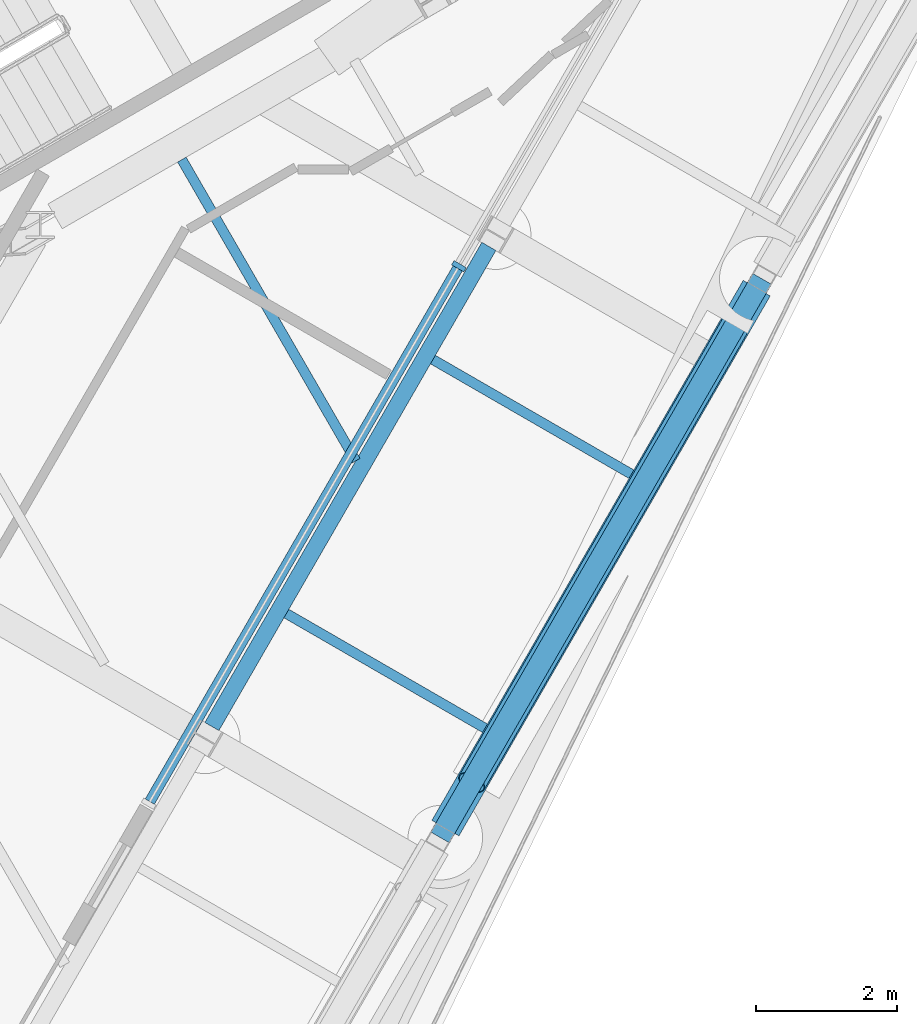
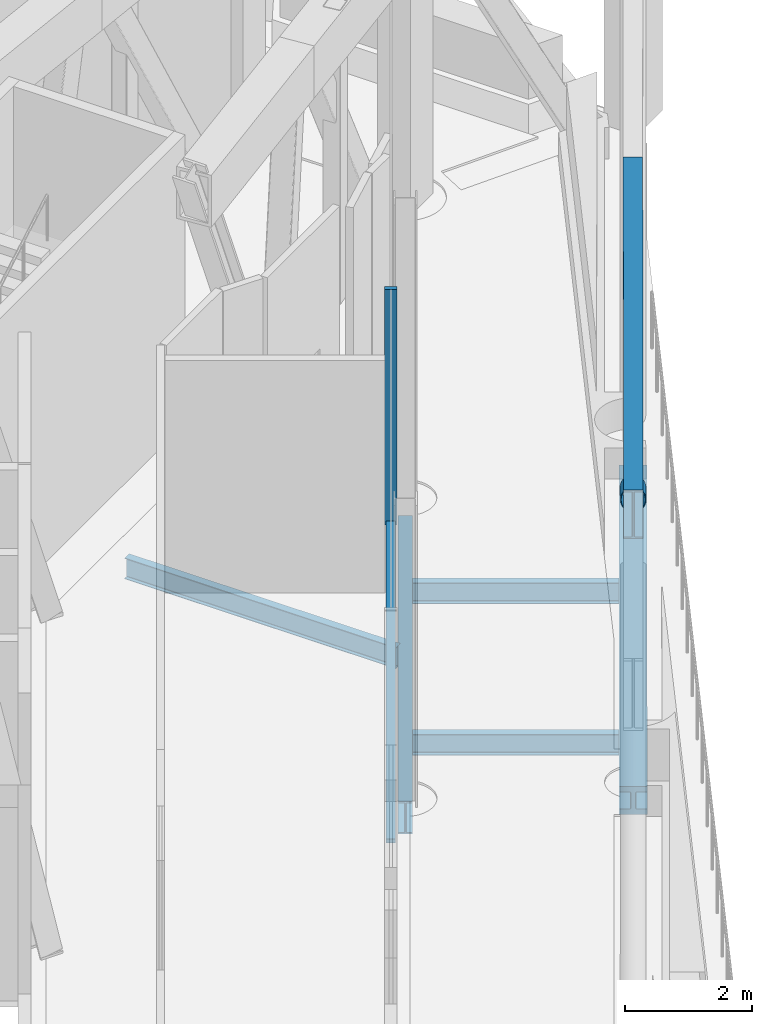
# One storey, part 9 of 25: 6 beams, 3 members, 1 element without a shape of its own.
"""IFC4 building model written with IfcOpenShell, lengths in metres."""

from ifc_helpers import new_model, si_unit, direction, frame, origin, origin_2d, place, context, subcontext, project, spatial, rectangle, hollow_circle, i_section, extrude, material, material_profile, profile_set, type_object, element, aggregate, save


model = new_model("IFC4")

# Units and contexts
model_context = context("Model", 3, precision=1e-05, world=origin(), true_north=direction((0.0, 1.0)))
body_context = subcontext(model_context, "Body", "Model", "MODEL_VIEW")
ifc_project = project(units=[si_unit("LENGTHUNIT", "METRE"), si_unit("AREAUNIT", "SQUARE_METRE"), si_unit("VOLUMEUNIT", "CUBIC_METRE"), si_unit("PLANEANGLEUNIT", "RADIAN"), si_unit("MASSUNIT", "GRAM", prefix="KILO")], contexts=[model_context])

# Site, building, storey
site_placement = place(None, origin())
site = spatial("IfcSite", under=ifc_project, at=site_placement, CompositionType="ELEMENT")
building_placement = place(site_placement, origin())
building = spatial("IfcBuilding", under=site, at=building_placement, Name="Verrane Prism Tower", CompositionType="ELEMENT")
storey_placement = place(building_placement, frame((0.0, 0.0, 258.199951171875)))
storey = spatial("IfcBuildingStorey", under=building, at=storey_placement, Name="L65", CompositionType="ELEMENT", Elevation=258.199951171875)

# Beams
ifc_material_1 = material(Name="Steel A992", Category="steel")
ifc_material_profile_1 = material_profile(ifc_material_1, i_section(OverallWidth=0.44189453125, OverallDepth=0.53076171875, WebThickness=0.06591796875, FlangeThickness=0.105712890625, FilletRadius=0.01513671875, at=origin_2d()), Name="W14x605")
ifc_profile_set_1 = profile_set([ifc_material_profile_1], Name="Steel A992")
beam_type_1 = type_object("IfcBeamType", Name="Belt truss chord W14x605", PredefinedType="BEAM", material=ifc_profile_set_1)
beam_1_placement = place(storey_placement, frame((17.2861328125, -4.528076171875, -0.424560546875), z_axis=(0.499430258134, 0.866354094618, 0.0), x_axis=(-0.866354094618, 0.499430258134, 0.0)))
element("IfcBeam", 1, at=beam_1_placement, inside=storey, type_object=beam_type_1, Name="Belt truss chord L65", PredefinedType="BEAM", context=body_context, shape_type="SweptSolid", body=[
    extrude(i_section(OverallWidth=0.44189453125, OverallDepth=0.53076171875, WebThickness=0.06591796875, FlangeThickness=0.105712890625, FilletRadius=0.01513671875, at=origin_2d()), origin(), (0.0, 0.0, 1.0), 8.825439453125),
])
ifc_material_2 = material(Name="Steel A992", Category="steel")
ifc_material_profile_2 = material_profile(ifc_material_2, i_section(OverallWidth=0.307373046875, OverallDepth=0.927001953125, WebThickness=0.01953125, FlangeThickness=0.031982421875, FilletRadius=0.01904296875, at=origin_2d()), Name="W36x194")
ifc_profile_set_2 = profile_set([ifc_material_profile_2], Name="Steel A992")
beam_type_2 = type_object("IfcBeamType", Name="Belt truss chord W36x194", PredefinedType="BEAM", material=ifc_profile_set_2)
beam_2_placement = place(storey_placement, frame((17.2099609375, -4.659912109375, 5.176513671875), z_axis=(0.499446957289, 0.866344467781, 0.0), x_axis=(-0.866344467781, 0.499446957289, 0.0)))
element("IfcBeam", 2, at=beam_2_placement, inside=storey, type_object=beam_type_2, Name="Belt truss chord L65", PredefinedType="BEAM", context=body_context, shape_type="SweptSolid", body=[
    extrude(i_section(OverallWidth=0.307373046875, OverallDepth=0.927001953125, WebThickness=0.01953125, FlangeThickness=0.031982421875, FilletRadius=0.01904296875, at=origin_2d()), origin(), (0.0, 0.0, 1.0), 9.130126953125),
])

# Member
ifc_material_3 = material(Name="Steel A500 Grade C", Category="steel")
ifc_material_profile_3 = material_profile(ifc_material_3, hollow_circle(Radius=0.203125, WallThickness=0.0126953125, at=origin_2d()), Name="HSS16.000x0.500")
ifc_profile_set_3 = profile_set([ifc_material_profile_3], Name="Steel A500 Grade C")
member_type_1 = type_object("IfcMemberType", Name="Belt truss diagonal HSS16.000x0.500", PredefinedType="BRACE", material=ifc_profile_set_3)
member_1_placement = place(storey_placement, frame((21.384033203125, 2.58056640625, -0.158935546875), z_axis=(-0.415199249485, -0.720266360715, 0.555721110674), x_axis=(0.866362050959, -0.499416456134, 0.0)))
element("IfcMember", 3, at=member_1_placement, inside=storey, type_object=member_type_1, Name="Belt truss diagonal L65", PredefinedType="BRACE", context=body_context, shape_type="SweptSolid", body=[
    extrude(hollow_circle(Radius=0.203125, WallThickness=0.0126953125, at=origin_2d()), origin(), (0.0, 0.0, 1.0), 8.9736328125),
])

# Beams
ifc_material_4 = material(Name="Steel A992", Category="steel")
ifc_material_profile_4 = material_profile(ifc_material_4, i_section(OverallWidth=0.140380859375, OverallDepth=0.40380859375, WebThickness=0.007080078125, FlangeThickness=0.01123046875, FilletRadius=0.01025390625, at=origin_2d()), Name="W16x31")
ifc_profile_set_4 = profile_set([ifc_material_profile_4], Name="Steel A992")
beam_type_3 = type_object("IfcBeamType", Name="Floor beam W16x31", PredefinedType="BEAM", material=ifc_profile_set_4)
beam_3_placement = place(storey_placement, frame((19.920166015625, 0.483642578125, -0.36181640625), z_axis=(-0.866026499801, 0.499998101639, 0.0), x_axis=(-0.499998101639, -0.866026499801, 0.0)))
element("IfcBeam", 4, at=beam_3_placement, inside=storey, type_object=beam_type_3, Name="Floor beam L65", PredefinedType="BEAM", context=body_context, shape_type="SweptSolid", body=[
    extrude(i_section(OverallWidth=0.140380859375, OverallDepth=0.40380859375, WebThickness=0.007080078125, FlangeThickness=0.01123046875, FilletRadius=0.01025390625, at=origin_2d()), origin(), (0.0, 0.0, 1.0), 3.24560546875),
])
beam_4_placement = place(storey_placement, frame((17.8466796875, -3.11328125, -0.36181640625), z_axis=(-0.866027848477, 0.499995765644, 0.0), x_axis=(-0.499995765644, -0.866027848477, 0.0)))
element("IfcBeam", 5, at=beam_4_placement, inside=storey, type_object=beam_type_3, Name="Floor beam L65", PredefinedType="BEAM", context=body_context, shape_type="SweptSolid", body=[
    extrude(i_section(OverallWidth=0.140380859375, OverallDepth=0.40380859375, WebThickness=0.007080078125, FlangeThickness=0.01123046875, FilletRadius=0.01025390625, at=origin_2d()), origin(), (0.0, 0.0, 1.0), 3.24755859375),
])
beam_5_placement = place(storey_placement, frame((16.016845703125, 0.673095703125, -0.36181640625), z_axis=(-0.500025682568, 0.866010575439, 0.0), x_axis=(-0.866010575439, -0.500025682568, 0.0)))
element("IfcBeam", 6, at=beam_5_placement, inside=storey, type_object=beam_type_3, Name="Floor beam L65", PredefinedType="BEAM", context=body_context, shape_type="SweptSolid", body=[
    extrude(i_section(OverallWidth=0.140380859375, OverallDepth=0.40380859375, WebThickness=0.007080078125, FlangeThickness=0.01123046875, FilletRadius=0.01025390625, at=origin_2d()), origin(), (0.0, 0.0, 1.0), 4.925048828125),
])

# Curtain wall, member
ifc_material_5 = material(Name="Aluminium framed insulated glazing", Category="aluminium")
curtain_wall_type = type_object("IfcCurtainWallType", Name="Curtain wall CW-A 8400 module", PredefinedType="NOTDEFINED", material=ifc_material_5)
curtain_wall_placement = place(storey_placement, origin())
curtain_wall = element("IfcCurtainWall", 7, at=curtain_wall_placement, inside=storey, type_object=curtain_wall_type, Name="Refuge lounge glazing south-east face L65 2", PredefinedType="NOTDEFINED")
ifc_material_6 = material(Name="Aluminium alloy 6063-T6", Category="aluminium")
ifc_material_profile_5 = material_profile(ifc_material_6, rectangle(XDim=0.199951171875, YDim=0.070068359375, at=origin_2d()), Name="Mullion 70x200 aluminium")
ifc_profile_set_5 = profile_set([ifc_material_profile_5], Name="Aluminium alloy 6063-T6")
member_type_2 = type_object("IfcMemberType", Name="Mullion 70x200 aluminium", PredefinedType="MULLION", material=ifc_profile_set_5)
member_2_placement = place(storey_placement, frame((17.4775390625, 3.42822265625, 0.0), z_axis=(0.0, 0.0, 1.0), x_axis=(-0.86602648744, 0.499998123049, 0.0)))
member_2 = element("IfcMember", 8, at=member_2_placement, type_object=member_type_2, Name="CW65.6.2 mullion 2", PredefinedType="MULLION", context=body_context, shape_type="SweptSolid", body=[
    extrude(rectangle(XDim=0.199951171875, YDim=0.070068359375, at=origin_2d()), origin(), (0.0, 0.0, 1.0), 4.5224609375),
])

# Beam
ifc_material_7 = material(Name="Steel A992", Category="steel")
ifc_material_profile_6 = material_profile(ifc_material_7, i_section(OverallWidth=0.23046875, OverallDepth=0.6171875, WebThickness=0.01318359375, FlangeThickness=0.022216796875, FilletRadius=0.012939453125, at=origin_2d()), Name="W24x94")
ifc_profile_set_6 = profile_set([ifc_material_profile_6], Name="Steel A992")
beam_type_4 = type_object("IfcBeamType", Name="Spandrel beam W24x94", PredefinedType="SPANDREL", material=ifc_profile_set_6)
beam_6_placement = place(storey_placement, frame((13.978515625, -3.089599609375, -0.468505859375), z_axis=(0.499775405071, 0.866155034902, 0.0), x_axis=(-0.866155034902, 0.499775405071, 0.0)))
element("IfcBeam", 9, at=beam_6_placement, inside=storey, type_object=beam_type_4, Name="Spandrel beam L65", PredefinedType="SPANDREL", context=body_context, shape_type="SweptSolid", body=[
    extrude(i_section(OverallWidth=0.23046875, OverallDepth=0.6171875, WebThickness=0.01318359375, FlangeThickness=0.022216796875, FilletRadius=0.012939453125, at=origin_2d()), origin(), (0.0, 0.0, 1.0), 7.849609375),
])

# Member
ifc_material_8 = material(Name="Aluminium alloy 6063-T6", Category="aluminium")
ifc_material_profile_7 = material_profile(ifc_material_8, rectangle(XDim=0.14990234375, YDim=0.070068359375, at=origin_2d()), Name="Transom 70x150 aluminium")
ifc_profile_set_7 = profile_set([ifc_material_profile_7], Name="Aluminium alloy 6063-T6")
member_type_3 = type_object("IfcMemberType", Name="Transom 70x150 aluminium", PredefinedType="USERDEFINED", material=ifc_profile_set_7)
member_3_placement = place(storey_placement, frame((13.1005859375, -4.152587890625, 0.03515625), z_axis=(0.500006053169, 0.866021908958, 0.0), x_axis=(-0.866021908958, 0.500006053169, 0.0)))
member_3 = element("IfcMember", 10, at=member_3_placement, type_object=member_type_3, Name="CW65.6.2 transom 1", ObjectType="TRANSOM", PredefinedType="USERDEFINED", context=body_context, shape_type="SweptSolid", body=[
    extrude(rectangle(XDim=0.14990234375, YDim=0.070068359375, at=origin_2d()), origin(), (0.0, 0.0, 1.0), 8.71875),
])

aggregate(curtain_wall, [member_2, member_3])

save(model, "model.ifc")
